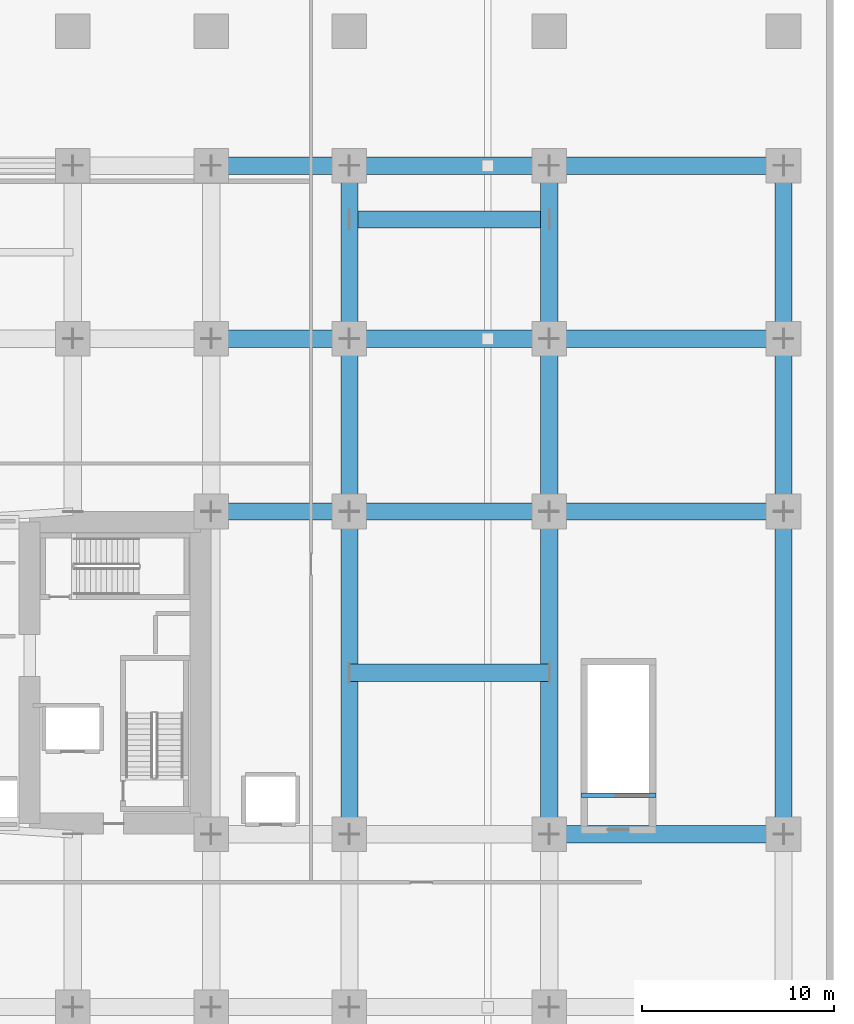
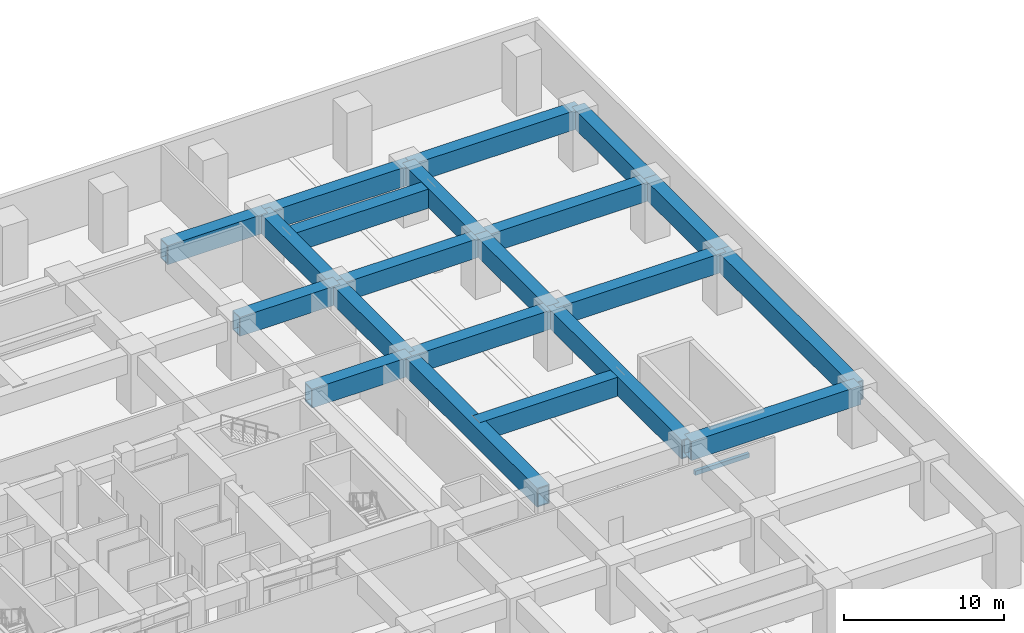
# One storey, part 6 of 25: 22 beams.
"""IFC4 building model written with IfcOpenShell, lengths in metres."""

from ifc_helpers import new_model, si_unit, direction, frame, origin, origin_2d, place, context, subcontext, project, spatial, rectangle, hollow_rectangle, extrude, material, material_profile, profile_set, type_object, element, save


model = new_model("IFC4")

# Units and contexts
model_context = context("Model", 3, precision=1e-05, world=origin(), true_north=direction((0.0, 1.0)))
body_context = subcontext(model_context, "Body", "Model", "MODEL_VIEW")
ifc_project = project(units=[si_unit("LENGTHUNIT", "METRE"), si_unit("AREAUNIT", "SQUARE_METRE"), si_unit("VOLUMEUNIT", "CUBIC_METRE"), si_unit("PLANEANGLEUNIT", "RADIAN"), si_unit("MASSUNIT", "GRAM", prefix="KILO")], contexts=[model_context])

# Site, building, storey
site_placement = place(None, origin())
site = spatial("IfcSite", under=ifc_project, at=site_placement, CompositionType="ELEMENT")
building_placement = place(site_placement, origin())
building = spatial("IfcBuilding", under=site, at=building_placement, Name="Kiyonajd Concourse Tower", CompositionType="ELEMENT")
storey_placement = place(building_placement, frame((0.0, 0.0, 17.10009765625)))
storey = spatial("IfcBuildingStorey", under=building, at=storey_placement, Name="L05", CompositionType="ELEMENT", Elevation=17.10009765625)

# Beams
ifc_material_1 = material(Name="Concrete C50/60", Category="concrete")
ifc_material_profile_1 = material_profile(ifc_material_1, rectangle(XDim=0.239990234375, YDim=0.320068359375, at=origin_2d()), Name="RCBM-240x320")
ifc_profile_set_1 = profile_set([ifc_material_profile_1], Name="Concrete C50/60")
beam_type_1 = type_object("IfcBeamType", Name="BM-LNT-250", PredefinedType="LINTEL", material=ifc_profile_set_1)
beam_1_placement = place(storey_placement, frame((82.85009765625, 29.6298828125, -0.16015625), z_axis=(1.0, 0.0, 0.0), x_axis=(0.0, 1.0, 0.0)))
element("IfcBeam", 1, at=beam_1_placement, inside=storey, type_object=beam_type_1, Name="L05 Stair ST5 Threshold Support Beam", PredefinedType="LINTEL", context=body_context, shape_type="SweptSolid", body=[
    extrude(rectangle(XDim=0.239990234375, YDim=0.320068359375, at=origin_2d()), origin(), (0.0, 0.0, 1.0), 3.89990234375),
])
ifc_material_2 = material(Name="Steel ASTM A572 Grade 50", Category="steel")
ifc_material_profile_2 = material_profile(ifc_material_2, hollow_rectangle(XDim=0.89990234375, YDim=1.449951171875, WallThickness=0.074951171875, at=origin_2d()), Name="BOX-1450x900x75")
ifc_profile_set_2 = profile_set([ifc_material_profile_2], Name="Steel ASTM A572 Grade 50")
beam_type_2 = type_object("IfcBeamType", Name="BM-XFER-1800", PredefinedType="BEAM", material=ifc_profile_set_2)
beam_2_placement = place(storey_placement, frame((81.199951171875, 27.60009765625, 3.534912109375), z_axis=(1.0, 0.0, 0.0), x_axis=(0.0, 1.0, 0.0)))
element("IfcBeam", 2, at=beam_2_placement, inside=storey, type_object=beam_type_2, Name="L05 Primary Transfer Girder", PredefinedType="BEAM", context=body_context, shape_type="SweptSolid", body=[
    extrude(hollow_rectangle(XDim=0.89990234375, YDim=1.449951171875, WallThickness=0.074951171875, at=origin_2d()), origin(), (0.0, 0.0, 1.0), 12.199951171875),
])
beam_3_placement = place(storey_placement, frame((63.60009765625, 44.39990234375, 3.514892578125), z_axis=(1.0, 0.0, 0.0), x_axis=(0.0, 1.0, 0.0)))
element("IfcBeam", 3, at=beam_3_placement, inside=storey, type_object=beam_type_2, Name="L05 Primary Transfer Girder", PredefinedType="BEAM", context=body_context, shape_type="SweptSolid", body=[
    extrude(hollow_rectangle(XDim=0.89990234375, YDim=1.449951171875, WallThickness=0.074951171875, at=origin_2d()), origin(), (0.0, 0.0, 1.0), 7.199951171875),
])
beam_4_placement = place(storey_placement, frame((70.800048828125, 44.39990234375, 3.514892578125), z_axis=(1.0, 0.0, 0.0), x_axis=(0.0, 1.0, 0.0)))
element("IfcBeam", 4, at=beam_4_placement, inside=storey, type_object=beam_type_2, Name="L05 Primary Transfer Girder", PredefinedType="BEAM", context=body_context, shape_type="SweptSolid", body=[
    extrude(hollow_rectangle(XDim=0.89990234375, YDim=1.449951171875, WallThickness=0.074951171875, at=origin_2d()), origin(), (0.0, 0.0, 1.0), 10.39990234375),
])
beam_5_placement = place(storey_placement, frame((81.199951171875, 44.39990234375, 3.534912109375), z_axis=(1.0, 0.0, 0.0), x_axis=(0.0, 1.0, 0.0)))
element("IfcBeam", 5, at=beam_5_placement, inside=storey, type_object=beam_type_2, Name="L05 Primary Transfer Girder", PredefinedType="BEAM", context=body_context, shape_type="SweptSolid", body=[
    extrude(hollow_rectangle(XDim=0.89990234375, YDim=1.449951171875, WallThickness=0.074951171875, at=origin_2d()), origin(), (0.0, 0.0, 1.0), 12.199951171875),
])
beam_6_placement = place(storey_placement, frame((63.60009765625, 53.39990234375, 3.514892578125), z_axis=(1.0, 0.0, 0.0), x_axis=(0.0, 1.0, 0.0)))
element("IfcBeam", 6, at=beam_6_placement, inside=storey, type_object=beam_type_2, Name="L05 Primary Transfer Girder", PredefinedType="BEAM", context=body_context, shape_type="SweptSolid", body=[
    extrude(hollow_rectangle(XDim=0.89990234375, YDim=1.449951171875, WallThickness=0.074951171875, at=origin_2d()), origin(), (0.0, 0.0, 1.0), 7.199951171875),
])
beam_7_placement = place(storey_placement, frame((70.800048828125, 53.39990234375, 3.514892578125), z_axis=(1.0, 0.0, 0.0), x_axis=(0.0, 1.0, 0.0)))
element("IfcBeam", 7, at=beam_7_placement, inside=storey, type_object=beam_type_2, Name="L05 Primary Transfer Girder", PredefinedType="BEAM", context=body_context, shape_type="SweptSolid", body=[
    extrude(hollow_rectangle(XDim=0.89990234375, YDim=1.449951171875, WallThickness=0.074951171875, at=origin_2d()), origin(), (0.0, 0.0, 1.0), 10.39990234375),
])
beam_8_placement = place(storey_placement, frame((81.199951171875, 53.39990234375, 3.534912109375), z_axis=(1.0, 0.0, 0.0), x_axis=(0.0, 1.0, 0.0)))
element("IfcBeam", 8, at=beam_8_placement, inside=storey, type_object=beam_type_2, Name="L05 Primary Transfer Girder", PredefinedType="BEAM", context=body_context, shape_type="SweptSolid", body=[
    extrude(hollow_rectangle(XDim=0.89990234375, YDim=1.449951171875, WallThickness=0.074951171875, at=origin_2d()), origin(), (0.0, 0.0, 1.0), 12.199951171875),
])
beam_9_placement = place(storey_placement, frame((63.60009765625, 62.39990234375, 3.514892578125), z_axis=(1.0, 0.0, 0.0), x_axis=(0.0, 1.0, 0.0)))
element("IfcBeam", 9, at=beam_9_placement, inside=storey, type_object=beam_type_2, Name="L05 Primary Transfer Girder", PredefinedType="BEAM", context=body_context, shape_type="SweptSolid", body=[
    extrude(hollow_rectangle(XDim=0.89990234375, YDim=1.449951171875, WallThickness=0.074951171875, at=origin_2d()), origin(), (0.0, 0.0, 1.0), 7.199951171875),
])
beam_10_placement = place(storey_placement, frame((70.800048828125, 62.39990234375, 3.514892578125), z_axis=(1.0, 0.0, 0.0), x_axis=(0.0, 1.0, 0.0)))
element("IfcBeam", 10, at=beam_10_placement, inside=storey, type_object=beam_type_2, Name="L05 Primary Transfer Girder", PredefinedType="BEAM", context=body_context, shape_type="SweptSolid", body=[
    extrude(hollow_rectangle(XDim=0.89990234375, YDim=1.449951171875, WallThickness=0.074951171875, at=origin_2d()), origin(), (0.0, 0.0, 1.0), 10.39990234375),
])
beam_11_placement = place(storey_placement, frame((81.199951171875, 62.39990234375, 3.534912109375), z_axis=(1.0, 0.0, 0.0), x_axis=(0.0, 1.0, 0.0)))
element("IfcBeam", 11, at=beam_11_placement, inside=storey, type_object=beam_type_2, Name="L05 Primary Transfer Girder", PredefinedType="BEAM", context=body_context, shape_type="SweptSolid", body=[
    extrude(hollow_rectangle(XDim=0.89990234375, YDim=1.449951171875, WallThickness=0.074951171875, at=origin_2d()), origin(), (0.0, 0.0, 1.0), 12.199951171875),
])
beam_12_placement = place(storey_placement, frame((70.800048828125, 27.60009765625, 3.514892578125), z_axis=(0.0, 1.0, 0.0), x_axis=(-1.0, 0.0, 0.0)))
element("IfcBeam", 12, at=beam_12_placement, inside=storey, type_object=beam_type_2, Name="L05 Primary Transfer Girder", PredefinedType="BEAM", context=body_context, shape_type="SweptSolid", body=[
    extrude(hollow_rectangle(XDim=0.89990234375, YDim=1.449951171875, WallThickness=0.074951171875, at=origin_2d()), origin(), (0.0, 0.0, 1.0), 16.7998046875),
])
for number, where, z_axis, x_axis, name in (
    (13, (70.800048828125, 44.39990234375, 3.514892578125), (0.0, 1.0, 0.0), (-1.0, 0.0, 0.0), "L05 Primary Transfer Girder"),
    (14, (70.800048828125, 53.39990234375, 3.514892578125), (0.0, 1.0, 0.0), (-1.0, 0.0, 0.0), "L05 Primary Transfer Girder"),
):
    element("IfcBeam", number, at=place(storey_placement, frame(where, z_axis=z_axis, x_axis=x_axis)), inside=storey, type_object=beam_type_2, Name=name, PredefinedType="BEAM", context=body_context, shape_type="SweptSolid", body=[
        extrude(hollow_rectangle(XDim=0.89990234375, YDim=1.449951171875, WallThickness=0.074951171875, at=origin_2d()), origin(), (0.0, 0.0, 1.0), 9.0),
    ])
beam_13_placement = place(storey_placement, frame((81.199951171875, 27.60009765625, 3.534912109375), z_axis=(0.0, 1.0, 0.0), x_axis=(-1.0, 0.0, 0.0)))
element("IfcBeam", 15, at=beam_13_placement, inside=storey, type_object=beam_type_2, Name="L05 Primary Transfer Girder", PredefinedType="BEAM", context=body_context, shape_type="SweptSolid", body=[
    extrude(hollow_rectangle(XDim=0.89990234375, YDim=1.449951171875, WallThickness=0.074951171875, at=origin_2d()), origin(), (0.0, 0.0, 1.0), 16.7998046875),
])
for number, where, z_axis, x_axis, name in (
    (16, (81.199951171875, 44.39990234375, 3.534912109375), (0.0, 1.0, 0.0), (-1.0, 0.0, 0.0), "L05 Primary Transfer Girder"),
    (17, (81.199951171875, 53.39990234375, 3.534912109375), (0.0, 1.0, 0.0), (-1.0, 0.0, 0.0), "L05 Primary Transfer Girder"),
):
    element("IfcBeam", number, at=place(storey_placement, frame(where, z_axis=z_axis, x_axis=x_axis)), inside=storey, type_object=beam_type_2, Name=name, PredefinedType="BEAM", context=body_context, shape_type="SweptSolid", body=[
        extrude(hollow_rectangle(XDim=0.89990234375, YDim=1.449951171875, WallThickness=0.074951171875, at=origin_2d()), origin(), (0.0, 0.0, 1.0), 9.0),
    ])
beam_14_placement = place(storey_placement, frame((93.39990234375, 27.60009765625, 3.534912109375), z_axis=(0.0, 1.0, 0.0), x_axis=(-1.0, 0.0, 0.0)))
element("IfcBeam", 18, at=beam_14_placement, inside=storey, type_object=beam_type_2, Name="L05 Primary Transfer Girder", PredefinedType="BEAM", context=body_context, shape_type="SweptSolid", body=[
    extrude(hollow_rectangle(XDim=0.89990234375, YDim=1.449951171875, WallThickness=0.074951171875, at=origin_2d()), origin(), (0.0, 0.0, 1.0), 16.7998046875),
])
for number, where, z_axis, x_axis, name in (
    (19, (93.39990234375, 44.39990234375, 3.534912109375), (0.0, 1.0, 0.0), (-1.0, 0.0, 0.0), "L05 Primary Transfer Girder"),
    (20, (93.39990234375, 53.39990234375, 3.534912109375), (0.0, 1.0, 0.0), (-1.0, 0.0, 0.0), "L05 Primary Transfer Girder"),
):
    element("IfcBeam", number, at=place(storey_placement, frame(where, z_axis=z_axis, x_axis=x_axis)), inside=storey, type_object=beam_type_2, Name=name, PredefinedType="BEAM", context=body_context, shape_type="SweptSolid", body=[
        extrude(hollow_rectangle(XDim=0.89990234375, YDim=1.449951171875, WallThickness=0.074951171875, at=origin_2d()), origin(), (0.0, 0.0, 1.0), 9.0),
    ])
for number, where, z_axis, x_axis, name in (
    (21, (70.800048828125, 59.60009765625, 3.514892578125), (1.0, 0.0, 0.0), (0.0, 1.0, 0.0), "L05 Column Transfer Girder"),
    (22, (70.800048828125, 36.0, 3.514892578125), (1.0, 0.0, 0.0), (0.0, 1.0, 0.0), "L05 Column Transfer Girder"),
):
    element("IfcBeam", number, at=place(storey_placement, frame(where, z_axis=z_axis, x_axis=x_axis)), inside=storey, type_object=beam_type_2, Name=name, PredefinedType="BEAM", context=body_context, shape_type="SweptSolid", body=[
        extrude(hollow_rectangle(XDim=0.89990234375, YDim=1.449951171875, WallThickness=0.074951171875, at=origin_2d()), origin(), (0.0, 0.0, 1.0), 10.39990234375),
    ])

save(model, "model.ifc")
